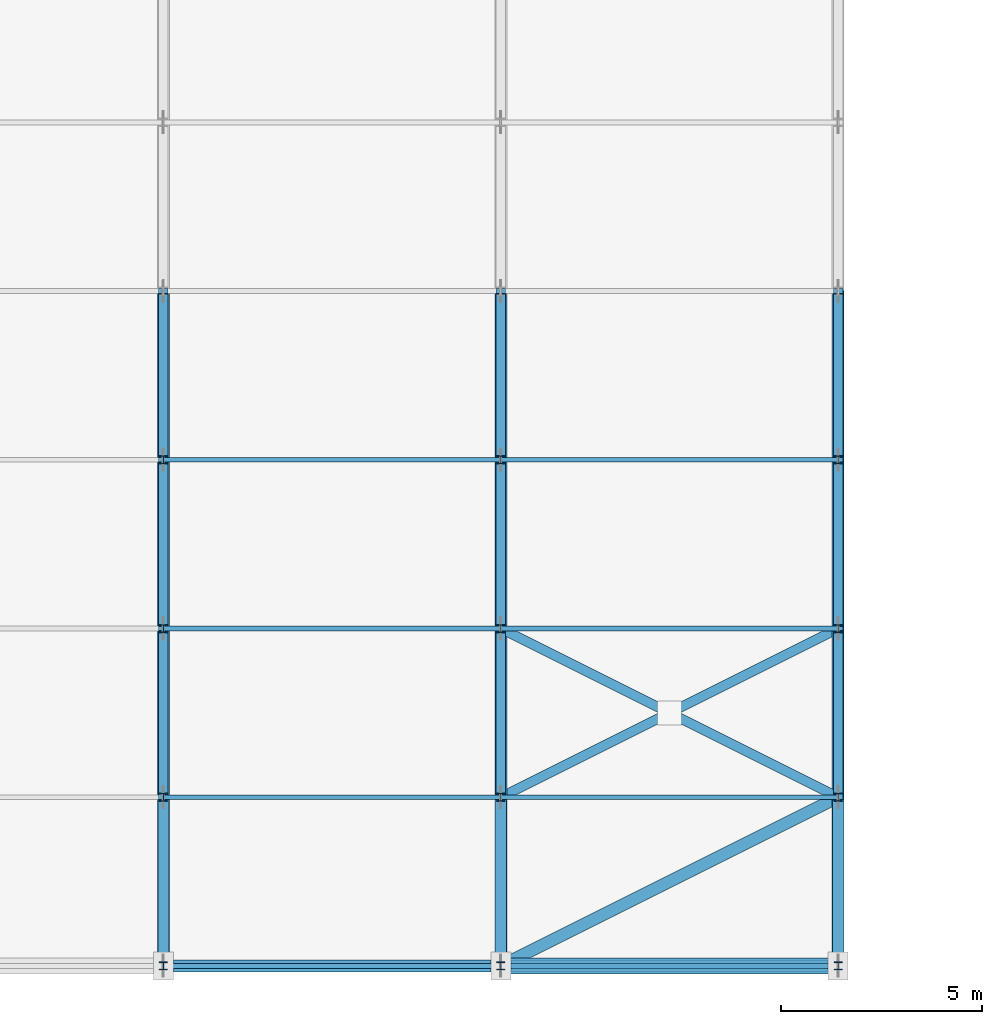
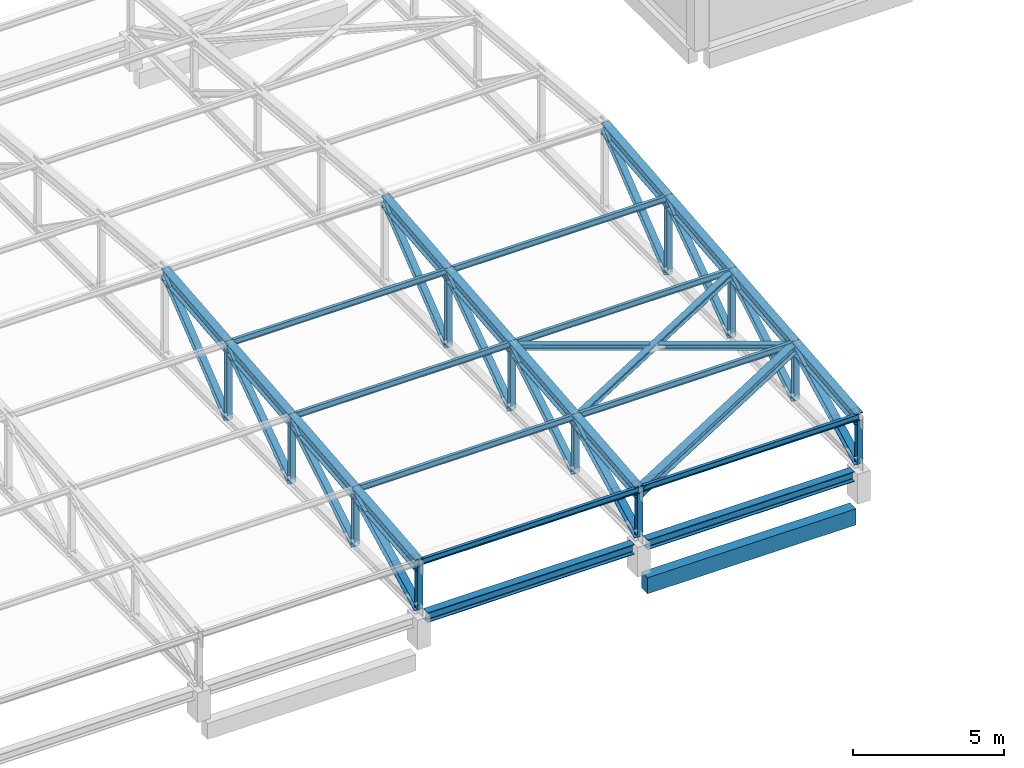
# One storey, part 20 of 74: 36 members, 15 beams.
"""IFC4 building model written with IfcOpenShell, lengths in metres."""

from ifc_helpers import new_model, si_unit, derived_unit, direction, frame, origin, origin_2d, place, context, subcontext, project, spatial, rectangle, i_section, extrude, material, material_profile, profile_set, type_object, element, save


model = new_model("IFC4")

# Units and contexts
model_context = context("Model", 3, precision=1e-05, world=origin(), true_north=direction((0.0, 1.0)))
body_context = subcontext(model_context, "Body", "Model", "MODEL_VIEW")
ifc_project = project(units=[si_unit("LENGTHUNIT", "METRE"), si_unit("AREAUNIT", "SQUARE_METRE"), si_unit("VOLUMEUNIT", "CUBIC_METRE"), si_unit("PLANEANGLEUNIT", "RADIAN"), si_unit("MASSUNIT", "GRAM", prefix="KILO"), derived_unit("THERMALTRANSMITTANCEUNIT", [(si_unit("POWERUNIT", "WATT"), 1), (si_unit("LENGTHUNIT", "METRE"), -2), (si_unit("THERMODYNAMICTEMPERATUREUNIT", "KELVIN"), -1)])], contexts=[model_context])

# Site, building, storey
site_placement = place(None, origin())
site = spatial("IfcSite", under=ifc_project, at=site_placement, CompositionType="ELEMENT")
building_placement = place(site_placement, origin())
building = spatial("IfcBuilding", under=site, at=building_placement, Name="Elbkamm Science Centre", CompositionType="ELEMENT")
storey_placement = place(building_placement, frame((0.0, 0.0, 14.39990234375)))
storey = spatial("IfcBuildingStorey", under=building, at=storey_placement, Name="L03", CompositionType="ELEMENT", Elevation=14.39990234375)

# Beams
ifc_material_1 = material(Name="Concrete C40/50", Category="concrete")
ifc_material_profile_1 = material_profile(ifc_material_1, rectangle(XDim=0.39990234375, YDim=0.64990234375, at=origin_2d()), Name="RC 400x650")
ifc_profile_set_1 = profile_set([ifc_material_profile_1], Name="Concrete C40/50")
beam_type_1 = type_object("IfcBeamType", Name="BM-RC-400x650", PredefinedType="BEAM", material=ifc_profile_set_1)
beam_1_placement = place(storey_placement, frame((109.419921875, 0.0, -0.60498046875), z_axis=(1.0, 0.0, 0.0), x_axis=(0.0, 1.0, 0.0)))
element("IfcBeam", 1, at=beam_1_placement, inside=storey, type_object=beam_type_1, Name="L03 Perimeter Ring Tie Girder 055", PredefinedType="BEAM", context=body_context, shape_type="SweptSolid", body=[
    extrude(rectangle(XDim=0.39990234375, YDim=0.64990234375, at=origin_2d()), origin(), (0.0, 0.0, 1.0), 7.9599609375),
])
ifc_material_2 = material(Name="Steel EN 10025-2 S355J2", Category="steel")
ifc_material_profile_2 = material_profile(ifc_material_2, i_section(OverallWidth=0.300048828125, OverallDepth=0.39990234375, WebThickness=0.013427734375, FlangeThickness=0.02392578125, FilletRadius=0.027099609375, at=origin_2d()), Name="HEB 400")
ifc_profile_set_2 = profile_set([ifc_material_profile_2], Name="Steel EN 10025-2 S355J2")
beam_type_2 = type_object("IfcBeamType", Name="BM-STL-HEB400", PredefinedType="BEAM", material=ifc_profile_set_2)
beam_2_placement = place(storey_placement, frame((101.050048828125, 0.0, 1.0), z_axis=(1.0, 0.0, 0.0), x_axis=(0.0, 1.0, 0.0)))
element("IfcBeam", 2, at=beam_2_placement, inside=storey, type_object=beam_type_2, Name="Theatre Eave Tie Girder S05", PredefinedType="SPANDREL", context=body_context, shape_type="SweptSolid", body=[
    extrude(i_section(OverallWidth=0.300048828125, OverallDepth=0.39990234375, WebThickness=0.013427734375, FlangeThickness=0.02392578125, FilletRadius=0.027099609375, at=origin_2d()), origin(), (0.0, 0.0, 1.0), 7.89990234375),
])
beam_3_placement = place(storey_placement, frame((109.449951171875, 0.0, 1.0), z_axis=(1.0, 0.0, 0.0), x_axis=(0.0, 1.0, 0.0)))
element("IfcBeam", 3, at=beam_3_placement, inside=storey, type_object=beam_type_2, Name="Theatre Eave Tie Girder S06", PredefinedType="SPANDREL", context=body_context, shape_type="SweptSolid", body=[
    extrude(i_section(OverallWidth=0.300048828125, OverallDepth=0.39990234375, WebThickness=0.013427734375, FlangeThickness=0.02392578125, FilletRadius=0.027099609375, at=origin_2d()), origin(), (0.0, 0.0, 1.0), 7.900146484375),
])
ifc_material_profile_3 = material_profile(ifc_material_2, i_section(OverallWidth=0.300048828125, OverallDepth=0.449951171875, WebThickness=0.013916015625, FlangeThickness=0.02587890625, FilletRadius=0.027099609375, at=origin_2d()), Name="HEB 450")
ifc_profile_set_3 = profile_set([ifc_material_profile_3], Name="Steel EN 10025-2 S355J2")
beam_type_3 = type_object("IfcBeamType", Name="BM-STL-HEB450", PredefinedType="BEAM", material=ifc_profile_set_3)
for number, where, z_axis, x_axis, name in (
    (4, (100.800048828125, 0.0, 3.156982421875), (0.0, 0.995562844443, 0.094099005119), (-1.0, 0.0, 0.0), "Theatre Steel Truss 05 Top Chord 1"),
    (5, (100.800048828125, 4.199951171875, 3.553955078125), (0.0, 0.995557421336, 0.094156363687), (-1.0, 0.0, 0.0), "Theatre Steel Truss 05 Top Chord 2"),
):
    element("IfcBeam", number, at=place(storey_placement, frame(where, z_axis=z_axis, x_axis=x_axis)), inside=storey, type_object=beam_type_3, Name=name, PredefinedType="BEAM", context=body_context, shape_type="SweptSolid", body=[
        extrude(i_section(OverallWidth=0.300048828125, OverallDepth=0.449951171875, WebThickness=0.013916015625, FlangeThickness=0.02587890625, FilletRadius=0.027099609375, at=origin_2d()), origin(), (0.0, 0.0, 1.0), 4.21875),
    ])
beam_4_placement = place(storey_placement, frame((100.800048828125, 8.39990234375, 3.951171875), z_axis=(0.0, 0.995563356829, 0.094093583946), x_axis=(-1.0, 0.0, 0.0)))
element("IfcBeam", 6, at=beam_4_placement, inside=storey, type_object=beam_type_3, Name="Theatre Steel Truss 05 Top Chord 3", PredefinedType="BEAM", context=body_context, shape_type="SweptSolid", body=[
    extrude(i_section(OverallWidth=0.300048828125, OverallDepth=0.449951171875, WebThickness=0.013916015625, FlangeThickness=0.02587890625, FilletRadius=0.027099609375, at=origin_2d()), origin(), (0.0, 0.0, 1.0), 4.218994140625),
])
for number, where, z_axis, x_axis, name in (
    (7, (100.800048828125, 12.60009765625, 4.34814453125), (0.0, 0.995562844443, 0.094099005119), (-1.0, 0.0, 0.0), "Theatre Steel Truss 05 Top Chord 4"),
    (8, (109.199951171875, 0.0, 3.156982421875), (0.0, 0.995562844443, 0.094099005119), (-1.0, 0.0, 0.0), "Theatre Steel Truss 06 Top Chord 1"),
    (9, (109.199951171875, 4.199951171875, 3.553955078125), (0.0, 0.995557421336, 0.094156363687), (-1.0, 0.0, 0.0), "Theatre Steel Truss 06 Top Chord 2"),
):
    element("IfcBeam", number, at=place(storey_placement, frame(where, z_axis=z_axis, x_axis=x_axis)), inside=storey, type_object=beam_type_3, Name=name, PredefinedType="BEAM", context=body_context, shape_type="SweptSolid", body=[
        extrude(i_section(OverallWidth=0.300048828125, OverallDepth=0.449951171875, WebThickness=0.013916015625, FlangeThickness=0.02587890625, FilletRadius=0.027099609375, at=origin_2d()), origin(), (0.0, 0.0, 1.0), 4.21875),
    ])
beam_5_placement = place(storey_placement, frame((109.199951171875, 8.39990234375, 3.951171875), z_axis=(0.0, 0.995563356829, 0.094093583946), x_axis=(-1.0, 0.0, 0.0)))
element("IfcBeam", 10, at=beam_5_placement, inside=storey, type_object=beam_type_3, Name="Theatre Steel Truss 06 Top Chord 3", PredefinedType="BEAM", context=body_context, shape_type="SweptSolid", body=[
    extrude(i_section(OverallWidth=0.300048828125, OverallDepth=0.449951171875, WebThickness=0.013916015625, FlangeThickness=0.02587890625, FilletRadius=0.027099609375, at=origin_2d()), origin(), (0.0, 0.0, 1.0), 4.218994140625),
])
for number, where, z_axis, x_axis, name in (
    (11, (109.199951171875, 12.60009765625, 4.34814453125), (0.0, 0.995562844443, 0.094099005119), (-1.0, 0.0, 0.0), "Theatre Steel Truss 06 Top Chord 4"),
    (12, (117.60009765625, 0.0, 3.156982421875), (0.0, 0.995562844443, 0.094099005119), (-1.0, 0.0, 0.0), "Theatre Steel Truss 07 Top Chord 1"),
    (13, (117.60009765625, 4.199951171875, 3.553955078125), (0.0, 0.995557421336, 0.094156363687), (-1.0, 0.0, 0.0), "Theatre Steel Truss 07 Top Chord 2"),
):
    element("IfcBeam", number, at=place(storey_placement, frame(where, z_axis=z_axis, x_axis=x_axis)), inside=storey, type_object=beam_type_3, Name=name, PredefinedType="BEAM", context=body_context, shape_type="SweptSolid", body=[
        extrude(i_section(OverallWidth=0.300048828125, OverallDepth=0.449951171875, WebThickness=0.013916015625, FlangeThickness=0.02587890625, FilletRadius=0.027099609375, at=origin_2d()), origin(), (0.0, 0.0, 1.0), 4.21875),
    ])
beam_6_placement = place(storey_placement, frame((117.60009765625, 8.39990234375, 3.951171875), z_axis=(0.0, 0.995563356829, 0.094093583946), x_axis=(-1.0, 0.0, 0.0)))
element("IfcBeam", 14, at=beam_6_placement, inside=storey, type_object=beam_type_3, Name="Theatre Steel Truss 07 Top Chord 3", PredefinedType="BEAM", context=body_context, shape_type="SweptSolid", body=[
    extrude(i_section(OverallWidth=0.300048828125, OverallDepth=0.449951171875, WebThickness=0.013916015625, FlangeThickness=0.02587890625, FilletRadius=0.027099609375, at=origin_2d()), origin(), (0.0, 0.0, 1.0), 4.218994140625),
])
beam_7_placement = place(storey_placement, frame((117.60009765625, 12.60009765625, 4.34814453125), z_axis=(0.0, 0.995562844443, 0.094099005119), x_axis=(-1.0, 0.0, 0.0)))
element("IfcBeam", 15, at=beam_7_placement, inside=storey, type_object=beam_type_3, Name="Theatre Steel Truss 07 Top Chord 4", PredefinedType="BEAM", context=body_context, shape_type="SweptSolid", body=[
    extrude(i_section(OverallWidth=0.300048828125, OverallDepth=0.449951171875, WebThickness=0.013916015625, FlangeThickness=0.02587890625, FilletRadius=0.027099609375, at=origin_2d()), origin(), (0.0, 0.0, 1.0), 4.21875),
])

# Members
ifc_material_profile_4 = material_profile(ifc_material_2, i_section(OverallWidth=0.239990234375, OverallDepth=0.22998046875, WebThickness=0.007568359375, FlangeThickness=0.011962890625, FilletRadius=0.02099609375, at=origin_2d()), Name="HEA 240")
ifc_profile_set_4 = profile_set([ifc_material_profile_4], Name="Steel EN 10025-2 S355J2")
member_type_1 = type_object("IfcMemberType", Name="MEM-BRACE-HEA240", PredefinedType="BRACE", material=ifc_profile_set_4)
member_1_placement = place(storey_placement, frame((100.800048828125, 4.199951171875, 1.400146484375), z_axis=(0.0, 0.854692256273, 0.519134998884), x_axis=(-1.0, 0.0, 0.0)))
element("IfcMember", 16, at=member_1_placement, inside=storey, type_object=member_type_1, Name="Theatre Steel Truss 05 Diagonal Brace 2", PredefinedType="BRACE", context=body_context, shape_type="SweptSolid", body=[
    extrude(i_section(OverallWidth=0.239990234375, OverallDepth=0.22998046875, WebThickness=0.007568359375, FlangeThickness=0.011962890625, FilletRadius=0.02099609375, at=origin_2d()), origin(), (0.0, 0.0, 1.0), 4.9140625),
])
member_2_placement = place(storey_placement, frame((100.800048828125, 8.39990234375, 1.400146484375), z_axis=(0.0, 0.818511556226, 0.574490062859), x_axis=(-1.0, 0.0, 0.0)))
element("IfcMember", 17, at=member_2_placement, inside=storey, type_object=member_type_1, Name="Theatre Steel Truss 05 Diagonal Brace 3", PredefinedType="BRACE", context=body_context, shape_type="SweptSolid", body=[
    extrude(i_section(OverallWidth=0.239990234375, OverallDepth=0.22998046875, WebThickness=0.007568359375, FlangeThickness=0.011962890625, FilletRadius=0.02099609375, at=origin_2d()), origin(), (0.0, 0.0, 1.0), 5.131591796875),
])
member_3_placement = place(storey_placement, frame((100.800048828125, 12.60009765625, 1.400146484375), z_axis=(0.0, 0.782228850419, 0.62299119221), x_axis=(-1.0, 0.0, 0.0)))
element("IfcMember", 18, at=member_3_placement, inside=storey, type_object=member_type_1, Name="Theatre Steel Truss 05 Diagonal Brace 4", PredefinedType="BRACE", context=body_context, shape_type="SweptSolid", body=[
    extrude(i_section(OverallWidth=0.239990234375, OverallDepth=0.22998046875, WebThickness=0.007568359375, FlangeThickness=0.011962890625, FilletRadius=0.02099609375, at=origin_2d()), origin(), (0.0, 0.0, 1.0), 5.369140625),
])
member_4_placement = place(storey_placement, frame((109.199951171875, 4.199951171875, 1.400146484375), z_axis=(0.0, 0.854692256273, 0.519134998884), x_axis=(-1.0, 0.0, 0.0)))
element("IfcMember", 19, at=member_4_placement, inside=storey, type_object=member_type_1, Name="Theatre Steel Truss 06 Diagonal Brace 2", PredefinedType="BRACE", context=body_context, shape_type="SweptSolid", body=[
    extrude(i_section(OverallWidth=0.239990234375, OverallDepth=0.22998046875, WebThickness=0.007568359375, FlangeThickness=0.011962890625, FilletRadius=0.02099609375, at=origin_2d()), origin(), (0.0, 0.0, 1.0), 4.9140625),
])
member_5_placement = place(storey_placement, frame((109.199951171875, 8.39990234375, 1.400146484375), z_axis=(0.0, 0.818511556226, 0.574490062859), x_axis=(-1.0, 0.0, 0.0)))
element("IfcMember", 20, at=member_5_placement, inside=storey, type_object=member_type_1, Name="Theatre Steel Truss 06 Diagonal Brace 3", PredefinedType="BRACE", context=body_context, shape_type="SweptSolid", body=[
    extrude(i_section(OverallWidth=0.239990234375, OverallDepth=0.22998046875, WebThickness=0.007568359375, FlangeThickness=0.011962890625, FilletRadius=0.02099609375, at=origin_2d()), origin(), (0.0, 0.0, 1.0), 5.131591796875),
])
member_6_placement = place(storey_placement, frame((109.199951171875, 12.60009765625, 1.400146484375), z_axis=(0.0, 0.782228850419, 0.62299119221), x_axis=(-1.0, 0.0, 0.0)))
element("IfcMember", 21, at=member_6_placement, inside=storey, type_object=member_type_1, Name="Theatre Steel Truss 06 Diagonal Brace 4", PredefinedType="BRACE", context=body_context, shape_type="SweptSolid", body=[
    extrude(i_section(OverallWidth=0.239990234375, OverallDepth=0.22998046875, WebThickness=0.007568359375, FlangeThickness=0.011962890625, FilletRadius=0.02099609375, at=origin_2d()), origin(), (0.0, 0.0, 1.0), 5.369140625),
])
member_7_placement = place(storey_placement, frame((117.60009765625, 4.199951171875, 1.400146484375), z_axis=(0.0, 0.854692256273, 0.519134998884), x_axis=(-1.0, 0.0, 0.0)))
element("IfcMember", 22, at=member_7_placement, inside=storey, type_object=member_type_1, Name="Theatre Steel Truss 07 Diagonal Brace 2", PredefinedType="BRACE", context=body_context, shape_type="SweptSolid", body=[
    extrude(i_section(OverallWidth=0.239990234375, OverallDepth=0.22998046875, WebThickness=0.007568359375, FlangeThickness=0.011962890625, FilletRadius=0.02099609375, at=origin_2d()), origin(), (0.0, 0.0, 1.0), 4.9140625),
])
member_8_placement = place(storey_placement, frame((117.60009765625, 8.39990234375, 1.400146484375), z_axis=(0.0, 0.818511556226, 0.574490062859), x_axis=(-1.0, 0.0, 0.0)))
element("IfcMember", 23, at=member_8_placement, inside=storey, type_object=member_type_1, Name="Theatre Steel Truss 07 Diagonal Brace 3", PredefinedType="BRACE", context=body_context, shape_type="SweptSolid", body=[
    extrude(i_section(OverallWidth=0.239990234375, OverallDepth=0.22998046875, WebThickness=0.007568359375, FlangeThickness=0.011962890625, FilletRadius=0.02099609375, at=origin_2d()), origin(), (0.0, 0.0, 1.0), 5.131591796875),
])
member_9_placement = place(storey_placement, frame((117.60009765625, 12.60009765625, 1.400146484375), z_axis=(0.0, 0.782228850419, 0.62299119221), x_axis=(-1.0, 0.0, 0.0)))
element("IfcMember", 24, at=member_9_placement, inside=storey, type_object=member_type_1, Name="Theatre Steel Truss 07 Diagonal Brace 4", PredefinedType="BRACE", context=body_context, shape_type="SweptSolid", body=[
    extrude(i_section(OverallWidth=0.239990234375, OverallDepth=0.22998046875, WebThickness=0.007568359375, FlangeThickness=0.011962890625, FilletRadius=0.02099609375, at=origin_2d()), origin(), (0.0, 0.0, 1.0), 5.369140625),
])
member_10_placement = place(storey_placement, frame((109.199951171875, 4.199951171875, 3.553955078125), z_axis=(0.893633454316, 0.446803740942, 0.042257146225), x_axis=(-0.447203197209, 0.89443239007, 0.0)))
element("IfcMember", 25, at=member_10_placement, inside=storey, type_object=member_type_1, Name="Theatre Roof Plan Continuous X-Brace B6-P2", PredefinedType="BRACE", context=body_context, shape_type="SweptSolid", body=[
    extrude(i_section(OverallWidth=0.239990234375, OverallDepth=0.22998046875, WebThickness=0.007568359375, FlangeThickness=0.011962890625, FilletRadius=0.02099609375, at=origin_2d()), origin(), (0.0, 0.0, 1.0), 9.39990234375),
])
for number, where, z_axis, x_axis, name in (
    (26, (109.199951171875, 8.39990234375, 3.951171875), (0.893639494466, -0.446792977133, -0.042243218569), (0.447192160157, 0.89443790835, 0.0), "Theatre Roof Plan Split X-Brace Segment 1 B6-P2"),
    (27, (113.525146484375, 6.2373046875, 3.74658203125), (0.893639494466, -0.446792977133, -0.042243218569), (0.447192160157, 0.89443790835, 0.0), "Theatre Roof Plan Split X-Brace Segment 2 B6-P2"),
):
    element("IfcMember", number, at=place(storey_placement, frame(where, z_axis=z_axis, x_axis=x_axis)), inside=storey, type_object=member_type_1, Name=name, PredefinedType="BRACE", context=body_context, shape_type="SweptSolid", body=[
        extrude(i_section(OverallWidth=0.239990234375, OverallDepth=0.22998046875, WebThickness=0.007568359375, FlangeThickness=0.011962890625, FilletRadius=0.02099609375, at=origin_2d()), origin(), (0.0, 0.0, 1.0), 4.56005859375),
    ])
ifc_material_profile_5 = material_profile(ifc_material_2, i_section(OverallWidth=0.280029296875, OverallDepth=0.27001953125, WebThickness=0.008056640625, FlangeThickness=0.012939453125, FilletRadius=0.02392578125, at=origin_2d()), Name="HEA 280")
ifc_profile_set_5 = profile_set([ifc_material_profile_5], Name="Steel EN 10025-2 S355J2")
member_type_2 = type_object("IfcMemberType", Name="MEM-BRACE-HEA280", PredefinedType="BRACE", material=ifc_profile_set_5)
for number, where, z_axis, x_axis, name in (
    (28, (100.800048828125, 0.0, 1.400146484375), (0.0, 0.889818539845, 0.456314547376), (-1.0, 0.0, 0.0), "Theatre Steel Truss 05 Diagonal Brace 1"),
    (29, (109.199951171875, 0.0, 1.400146484375), (0.0, 0.889818539845, 0.456314547376), (-1.0, 0.0, 0.0), "Theatre Steel Truss 06 Diagonal Brace 1"),
    (30, (117.60009765625, 0.0, 1.400146484375), (0.0, 0.889818539845, 0.456314547376), (-1.0, 0.0, 0.0), "Theatre Steel Truss 07 Diagonal Brace 1"),
):
    element("IfcMember", number, at=place(storey_placement, frame(where, z_axis=z_axis, x_axis=x_axis)), inside=storey, type_object=member_type_2, Name=name, PredefinedType="BRACE", context=body_context, shape_type="SweptSolid", body=[
        extrude(i_section(OverallWidth=0.280029296875, OverallDepth=0.27001953125, WebThickness=0.008056640625, FlangeThickness=0.012939453125, FilletRadius=0.02392578125, at=origin_2d()), origin(), (0.0, 0.0, 1.0), 4.719970703125),
    ])
ifc_material_profile_6 = material_profile(ifc_material_2, i_section(OverallWidth=0.300048828125, OverallDepth=0.35009765625, WebThickness=0.010009765625, FlangeThickness=0.017578125, FilletRadius=0.027099609375, at=origin_2d()), Name="HEA 360")
ifc_profile_set_6 = profile_set([ifc_material_profile_6], Name="Steel EN 10025-2 S355J2")
member_type_3 = type_object("IfcMemberType", Name="MEM-CHORD-HEA360", PredefinedType="CHORD", material=ifc_profile_set_6)
member_11_placement = place(storey_placement, frame((109.199951171875, 0.0, 3.156982421875), z_axis=(0.893634434798, 0.446804231169, 0.042231220129), x_axis=(-0.447203197209, 0.89443239007, 0.0)))
element("IfcMember", 31, at=member_11_placement, inside=storey, type_object=member_type_3, Name="Theatre Roof Plan Tie Chord 6-1", PredefinedType="CHORD", context=body_context, shape_type="SweptSolid", body=[
    extrude(i_section(OverallWidth=0.300048828125, OverallDepth=0.35009765625, WebThickness=0.010009765625, FlangeThickness=0.017578125, FilletRadius=0.027099609375, at=origin_2d()), origin(), (0.0, 0.0, 1.0), 9.39990234375),
])
ifc_material_profile_7 = material_profile(ifc_material_2, i_section(OverallWidth=0.1201171875, OverallDepth=0.239990234375, WebThickness=0.006103515625, FlangeThickness=0.009765625, FilletRadius=0.014892578125, at=origin_2d()), Name="IPE 240")
ifc_profile_set_7 = profile_set([ifc_material_profile_7], Name="Steel EN 10025-2 S355J2")
member_type_4 = type_object("IfcMemberType", Name="MEM-PURLIN-IPE240", PredefinedType="PURLIN", material=ifc_profile_set_7)
for number, where, z_axis, x_axis, name in (
    (32, (100.800048828125, 0.0, 3.257080078125), (1.0, 0.0, 0.0), (0.0, 1.0, 0.0), "Theatre Roof Purlin Bay 5-1"),
    (33, (100.800048828125, 4.199951171875, 3.654052734375), (1.0, 0.0, 0.0), (0.0, 1.0, 0.0), "Theatre Roof Purlin Bay 5-2"),
    (34, (100.800048828125, 8.39990234375, 4.051025390625), (1.0, 0.0, 0.0), (0.0, 1.0, 0.0), "Theatre Roof Purlin Bay 5-3"),
    (35, (100.800048828125, 12.60009765625, 4.447998046875), (1.0, 0.0, 0.0), (0.0, 1.0, 0.0), "Theatre Roof Purlin Bay 5-4"),
):
    element("IfcMember", number, at=place(storey_placement, frame(where, z_axis=z_axis, x_axis=x_axis)), inside=storey, type_object=member_type_4, Name=name, PredefinedType="PURLIN", context=body_context, shape_type="SweptSolid", body=[
        extrude(i_section(OverallWidth=0.1201171875, OverallDepth=0.239990234375, WebThickness=0.006103515625, FlangeThickness=0.009765625, FilletRadius=0.014892578125, at=origin_2d()), origin(), (0.0, 0.0, 1.0), 8.39990234375),
    ])
for number, where, z_axis, x_axis, name in (
    (36, (109.199951171875, 0.0, 3.257080078125), (1.0, 0.0, 0.0), (0.0, 1.0, 0.0), "Theatre Roof Purlin Bay 6-1"),
    (37, (109.199951171875, 4.199951171875, 3.654052734375), (1.0, 0.0, 0.0), (0.0, 1.0, 0.0), "Theatre Roof Purlin Bay 6-2"),
    (38, (109.199951171875, 8.39990234375, 4.051025390625), (1.0, 0.0, 0.0), (0.0, 1.0, 0.0), "Theatre Roof Purlin Bay 6-3"),
    (39, (109.199951171875, 12.60009765625, 4.447998046875), (1.0, 0.0, 0.0), (0.0, 1.0, 0.0), "Theatre Roof Purlin Bay 6-4"),
):
    element("IfcMember", number, at=place(storey_placement, frame(where, z_axis=z_axis, x_axis=x_axis)), inside=storey, type_object=member_type_4, Name=name, PredefinedType="PURLIN", context=body_context, shape_type="SweptSolid", body=[
        extrude(i_section(OverallWidth=0.1201171875, OverallDepth=0.239990234375, WebThickness=0.006103515625, FlangeThickness=0.009765625, FilletRadius=0.014892578125, at=origin_2d()), origin(), (0.0, 0.0, 1.0), 8.400146484375),
    ])
ifc_material_profile_8 = material_profile(ifc_material_2, i_section(OverallWidth=0.199951171875, OverallDepth=0.199951171875, WebThickness=0.009033203125, FlangeThickness=0.014892578125, FilletRadius=0.01806640625, at=origin_2d()), Name="HEB 200")
ifc_profile_set_8 = profile_set([ifc_material_profile_8], Name="Steel EN 10025-2 S355J2")
member_type_5 = type_object("IfcMemberType", Name="MEM-STRUT-HEB200", PredefinedType="STRUT", material=ifc_profile_set_8)
member_12_placement = place(storey_placement, frame((100.800048828125, 0.0, 1.400146484375), z_axis=(0.0, 0.0, 1.0), x_axis=(1.0, 0.0, 0.0)))
element("IfcMember", 40, at=member_12_placement, inside=storey, type_object=member_type_5, Name="Theatre Steel Truss 05 Vertical Strut 1", PredefinedType="STRUT", context=body_context, shape_type="SweptSolid", body=[
    extrude(i_section(OverallWidth=0.199951171875, OverallDepth=0.199951171875, WebThickness=0.009033203125, FlangeThickness=0.014892578125, FilletRadius=0.01806640625, at=origin_2d()), origin(), (0.0, 0.0, 1.0), 1.7568359375),
])
member_13_placement = place(storey_placement, frame((100.800048828125, 4.199951171875, 1.400146484375), z_axis=(0.0, 0.0, 1.0), x_axis=(1.0, 0.0, 0.0)))
element("IfcMember", 41, at=member_13_placement, inside=storey, type_object=member_type_5, Name="Theatre Steel Truss 05 Vertical Strut 2", PredefinedType="STRUT", context=body_context, shape_type="SweptSolid", body=[
    extrude(i_section(OverallWidth=0.199951171875, OverallDepth=0.199951171875, WebThickness=0.009033203125, FlangeThickness=0.014892578125, FilletRadius=0.01806640625, at=origin_2d()), origin(), (0.0, 0.0, 1.0), 2.15380859375),
])
member_14_placement = place(storey_placement, frame((100.800048828125, 8.39990234375, 1.400146484375), z_axis=(0.0, 0.0, 1.0), x_axis=(1.0, 0.0, 0.0)))
element("IfcMember", 42, at=member_14_placement, inside=storey, type_object=member_type_5, Name="Theatre Steel Truss 05 Vertical Strut 3", PredefinedType="STRUT", context=body_context, shape_type="SweptSolid", body=[
    extrude(i_section(OverallWidth=0.199951171875, OverallDepth=0.199951171875, WebThickness=0.009033203125, FlangeThickness=0.014892578125, FilletRadius=0.01806640625, at=origin_2d()), origin(), (0.0, 0.0, 1.0), 2.551025390625),
])
member_15_placement = place(storey_placement, frame((100.800048828125, 12.60009765625, 1.400146484375), z_axis=(0.0, 0.0, 1.0), x_axis=(1.0, 0.0, 0.0)))
element("IfcMember", 43, at=member_15_placement, inside=storey, type_object=member_type_5, Name="Theatre Steel Truss 05 Vertical Strut 4", PredefinedType="STRUT", context=body_context, shape_type="SweptSolid", body=[
    extrude(i_section(OverallWidth=0.199951171875, OverallDepth=0.199951171875, WebThickness=0.009033203125, FlangeThickness=0.014892578125, FilletRadius=0.01806640625, at=origin_2d()), origin(), (0.0, 0.0, 1.0), 2.947998046875),
])
member_16_placement = place(storey_placement, frame((109.199951171875, 0.0, 1.400146484375), z_axis=(0.0, 0.0, 1.0), x_axis=(1.0, 0.0, 0.0)))
element("IfcMember", 44, at=member_16_placement, inside=storey, type_object=member_type_5, Name="Theatre Steel Truss 06 Vertical Strut 1", PredefinedType="STRUT", context=body_context, shape_type="SweptSolid", body=[
    extrude(i_section(OverallWidth=0.199951171875, OverallDepth=0.199951171875, WebThickness=0.009033203125, FlangeThickness=0.014892578125, FilletRadius=0.01806640625, at=origin_2d()), origin(), (0.0, 0.0, 1.0), 1.7568359375),
])
member_17_placement = place(storey_placement, frame((109.199951171875, 4.199951171875, 1.400146484375), z_axis=(0.0, 0.0, 1.0), x_axis=(1.0, 0.0, 0.0)))
element("IfcMember", 45, at=member_17_placement, inside=storey, type_object=member_type_5, Name="Theatre Steel Truss 06 Vertical Strut 2", PredefinedType="STRUT", context=body_context, shape_type="SweptSolid", body=[
    extrude(i_section(OverallWidth=0.199951171875, OverallDepth=0.199951171875, WebThickness=0.009033203125, FlangeThickness=0.014892578125, FilletRadius=0.01806640625, at=origin_2d()), origin(), (0.0, 0.0, 1.0), 2.15380859375),
])
member_18_placement = place(storey_placement, frame((109.199951171875, 8.39990234375, 1.400146484375), z_axis=(0.0, 0.0, 1.0), x_axis=(1.0, 0.0, 0.0)))
element("IfcMember", 46, at=member_18_placement, inside=storey, type_object=member_type_5, Name="Theatre Steel Truss 06 Vertical Strut 3", PredefinedType="STRUT", context=body_context, shape_type="SweptSolid", body=[
    extrude(i_section(OverallWidth=0.199951171875, OverallDepth=0.199951171875, WebThickness=0.009033203125, FlangeThickness=0.014892578125, FilletRadius=0.01806640625, at=origin_2d()), origin(), (0.0, 0.0, 1.0), 2.551025390625),
])
member_19_placement = place(storey_placement, frame((109.199951171875, 12.60009765625, 1.400146484375), z_axis=(0.0, 0.0, 1.0), x_axis=(1.0, 0.0, 0.0)))
element("IfcMember", 47, at=member_19_placement, inside=storey, type_object=member_type_5, Name="Theatre Steel Truss 06 Vertical Strut 4", PredefinedType="STRUT", context=body_context, shape_type="SweptSolid", body=[
    extrude(i_section(OverallWidth=0.199951171875, OverallDepth=0.199951171875, WebThickness=0.009033203125, FlangeThickness=0.014892578125, FilletRadius=0.01806640625, at=origin_2d()), origin(), (0.0, 0.0, 1.0), 2.947998046875),
])
member_20_placement = place(storey_placement, frame((117.60009765625, 0.0, 1.400146484375), z_axis=(0.0, 0.0, 1.0), x_axis=(1.0, 0.0, 0.0)))
element("IfcMember", 48, at=member_20_placement, inside=storey, type_object=member_type_5, Name="Theatre Steel Truss 07 Vertical Strut 1", PredefinedType="STRUT", context=body_context, shape_type="SweptSolid", body=[
    extrude(i_section(OverallWidth=0.199951171875, OverallDepth=0.199951171875, WebThickness=0.009033203125, FlangeThickness=0.014892578125, FilletRadius=0.01806640625, at=origin_2d()), origin(), (0.0, 0.0, 1.0), 1.7568359375),
])
member_21_placement = place(storey_placement, frame((117.60009765625, 4.199951171875, 1.400146484375), z_axis=(0.0, 0.0, 1.0), x_axis=(1.0, 0.0, 0.0)))
element("IfcMember", 49, at=member_21_placement, inside=storey, type_object=member_type_5, Name="Theatre Steel Truss 07 Vertical Strut 2", PredefinedType="STRUT", context=body_context, shape_type="SweptSolid", body=[
    extrude(i_section(OverallWidth=0.199951171875, OverallDepth=0.199951171875, WebThickness=0.009033203125, FlangeThickness=0.014892578125, FilletRadius=0.01806640625, at=origin_2d()), origin(), (0.0, 0.0, 1.0), 2.15380859375),
])
member_22_placement = place(storey_placement, frame((117.60009765625, 8.39990234375, 1.400146484375), z_axis=(0.0, 0.0, 1.0), x_axis=(1.0, 0.0, 0.0)))
element("IfcMember", 50, at=member_22_placement, inside=storey, type_object=member_type_5, Name="Theatre Steel Truss 07 Vertical Strut 3", PredefinedType="STRUT", context=body_context, shape_type="SweptSolid", body=[
    extrude(i_section(OverallWidth=0.199951171875, OverallDepth=0.199951171875, WebThickness=0.009033203125, FlangeThickness=0.014892578125, FilletRadius=0.01806640625, at=origin_2d()), origin(), (0.0, 0.0, 1.0), 2.551025390625),
])
member_23_placement = place(storey_placement, frame((117.60009765625, 12.60009765625, 1.400146484375), z_axis=(0.0, 0.0, 1.0), x_axis=(1.0, 0.0, 0.0)))
element("IfcMember", 51, at=member_23_placement, inside=storey, type_object=member_type_5, Name="Theatre Steel Truss 07 Vertical Strut 4", PredefinedType="STRUT", context=body_context, shape_type="SweptSolid", body=[
    extrude(i_section(OverallWidth=0.199951171875, OverallDepth=0.199951171875, WebThickness=0.009033203125, FlangeThickness=0.014892578125, FilletRadius=0.01806640625, at=origin_2d()), origin(), (0.0, 0.0, 1.0), 2.947998046875),
])

save(model, "model.ifc")
